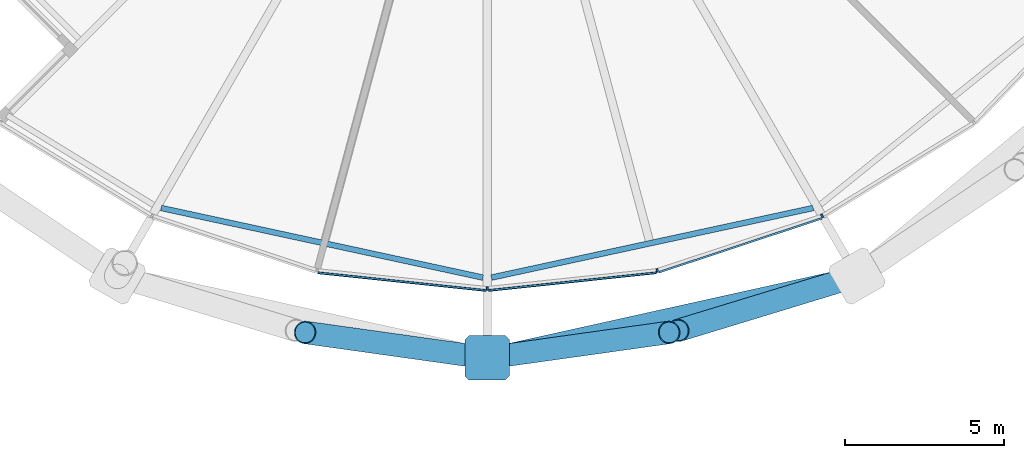
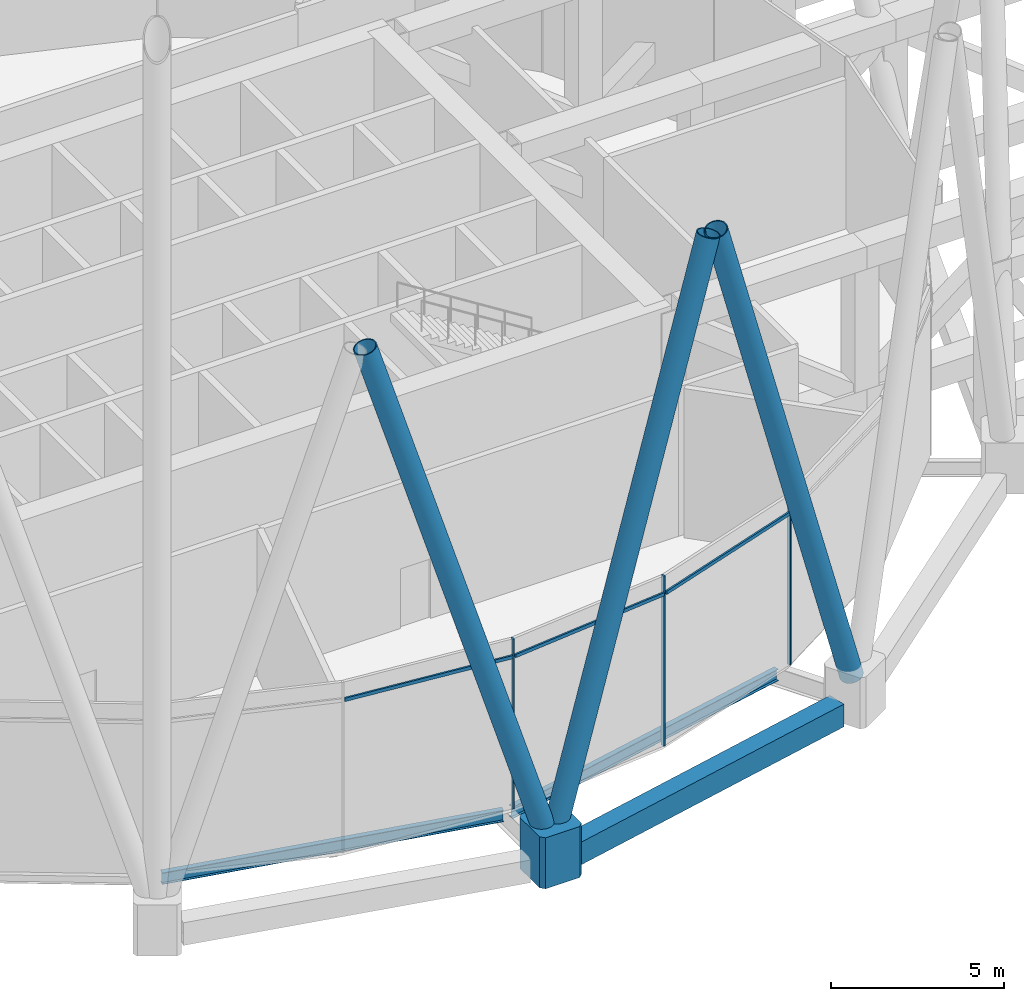
# One storey, part 5 of 39: 10 members, 3 beams, 1 element without a shape of its own.
"""IFC4 building model written with IfcOpenShell, lengths in metres."""

from ifc_helpers import new_model, si_unit, direction, frame, origin, origin_2d, place, context, subcontext, project, spatial, polyline, rectangle, hollow_rectangle, hollow_circle, i_section, outline, extrude, material, material_profile, profile_set, type_object, element, aggregate, save


model = new_model("IFC4")

# Units and contexts
model_context = context("Model", 3, precision=1e-05, world=origin(), true_north=direction((0.0, 1.0)))
body_context = subcontext(model_context, "Body", "Model", "MODEL_VIEW")
ifc_project = project(units=[si_unit("LENGTHUNIT", "METRE"), si_unit("AREAUNIT", "SQUARE_METRE"), si_unit("VOLUMEUNIT", "CUBIC_METRE"), si_unit("PLANEANGLEUNIT", "RADIAN"), si_unit("MASSUNIT", "GRAM", prefix="KILO")], contexts=[model_context])

# Site, building, storey
site_placement = place(None, origin())
site = spatial("IfcSite", under=ifc_project, at=site_placement, CompositionType="ELEMENT")
building_placement = place(site_placement, origin())
building = spatial("IfcBuilding", under=site, at=building_placement, Name="Rimbun Link Towers", CompositionType="ELEMENT")
storey_placement = place(building_placement, frame((0.0, 0.0, 127.199951171875)))
storey = spatial("IfcBuildingStorey", under=building, at=storey_placement, Name="L31", CompositionType="ELEMENT", Elevation=127.199951171875)

# Curtain wall, members
ifc_material_1 = material(Name="Aluminium 6063-T6 louvre wall", Category="aluminium")
curtain_wall_type = type_object("IfcCurtainWallType", Name="CW6 plant floor louvre wall", PredefinedType="NOTDEFINED", material=ifc_material_1)
curtain_wall_placement = place(storey_placement, origin())
curtain_wall = element("IfcCurtainWall", 1, at=curtain_wall_placement, inside=storey, type_object=curtain_wall_type, Name="CW6 L31 T1", PredefinedType="NOTDEFINED")
ifc_material_2 = material(Name="Aluminium 6063-T6", Category="aluminium")
ifc_material_profile_1 = material_profile(ifc_material_2, rectangle(XDim=0.1201171875, YDim=0.06005859375, at=origin_2d()), Name="MULLION 60X120")
ifc_profile_set_1 = profile_set([ifc_material_profile_1], Name="Aluminium 6063-T6")
member_type_1 = type_object("IfcMemberType", Name="CW6 mullion 60X120", PredefinedType="MULLION", material=ifc_profile_set_1)
member_1_placement = place(storey_placement, frame((-31.75, -20.564697265625, 0.0), z_axis=(0.0, 0.0, 1.0), x_axis=(0.0, -1.0, 0.0)))
member_1 = element("IfcMember", 2, at=member_1_placement, type_object=member_type_1, Name="CW6 mullion", PredefinedType="MULLION", context=body_context, shape_type="SweptSolid", body=[
    extrude(rectangle(XDim=0.1201171875, YDim=0.06005859375, at=origin_2d()), origin(), (0.0, 0.0, 1.0), 6.0),
])
member_2_placement = place(storey_placement, frame((-26.39404296875, -20.00048828125, 0.0), z_axis=(0.0, 0.0, 1.0), x_axis=(0.210874745282, -0.977513090348, 0.0)))
member_2 = element("IfcMember", 3, at=member_2_placement, type_object=member_type_1, Name="CW6 mullion", PredefinedType="MULLION", context=body_context, shape_type="SweptSolid", body=[
    extrude(rectangle(XDim=0.1201171875, YDim=0.06005859375, at=origin_2d()), origin(), (0.0, 0.0, 1.0), 6.0),
])
member_3_placement = place(storey_placement, frame((-21.2021484375, -18.27978515625, 0.0), z_axis=(0.0, 0.0, 1.0), x_axis=(0.421706860892, -0.906732222586, 0.0)))
member_3 = element("IfcMember", 4, at=member_3_placement, type_object=member_type_1, Name="CW6 mullion", PredefinedType="MULLION", context=body_context, shape_type="SweptSolid", body=[
    extrude(rectangle(XDim=0.1201171875, YDim=0.06005859375, at=origin_2d()), origin(), (0.0, 0.0, 1.0), 6.0),
])
ifc_material_3 = material(Name="Aluminium 6063-T6", Category="aluminium")
ifc_material_profile_2 = material_profile(ifc_material_3, rectangle(XDim=0.06005859375, YDim=0.1201171875, at=origin_2d()), Name="TRANSOM 60X120")
ifc_profile_set_2 = profile_set([ifc_material_profile_2], Name="Aluminium 6063-T6")
member_type_2 = type_object("IfcMemberType", Name="CW6 transom 60X120", PredefinedType="USERDEFINED", material=ifc_profile_set_2)
member_4_placement = place(storey_placement, frame((-31.79345703125, -20.630859375, 5.400146484375), z_axis=(-0.99449638466, 0.104770897192, 0.0), x_axis=(-0.104770897192, -0.99449638466, 0.0)))
member_4 = element("IfcMember", 5, at=member_4_placement, type_object=member_type_2, Name="CW6 transom", ObjectType="TRANSOM", PredefinedType="USERDEFINED", context=body_context, shape_type="SweptSolid", body=[
    extrude(rectangle(XDim=0.06005859375, YDim=0.1201171875, at=origin_2d()), origin(), (0.0, 0.0, 1.0), 5.31298828125),
])
member_5_placement = place(storey_placement, frame((-26.4228515625, -20.07421875, 5.400146484375), z_axis=(-0.99449638466, -0.104770897192, 0.0), x_axis=(0.104770897192, -0.99449638466, 0.0)))
member_5 = element("IfcMember", 6, at=member_5_placement, type_object=member_type_2, Name="CW6 transom", ObjectType="TRANSOM", PredefinedType="USERDEFINED", context=body_context, shape_type="SweptSolid", body=[
    extrude(rectangle(XDim=0.06005859375, YDim=0.1201171875, at=origin_2d()), origin(), (0.0, 0.0, 1.0), 5.31298828125),
])
member_6_placement = place(storey_placement, frame((-21.215087890625, -18.3583984375, 5.400146484375), z_axis=(-0.949242844608, -0.314544149462, 0.0), x_axis=(0.314544149462, -0.949242844608, 0.0)))
member_6 = element("IfcMember", 7, at=member_6_placement, type_object=member_type_2, Name="CW6 transom", ObjectType="TRANSOM", PredefinedType="USERDEFINED", context=body_context, shape_type="SweptSolid", body=[
    extrude(rectangle(XDim=0.06005859375, YDim=0.1201171875, at=origin_2d()), origin(), (0.0, 0.0, 1.0), 5.39599609375),
])
aggregate(curtain_wall, [member_1, member_2, member_3, member_4, member_5, member_6])

# Members
ifc_material_4 = material(Name="Steel S460NH", Category="steel")
ifc_material_profile_3 = material_profile(ifc_material_4, hollow_circle(Radius=0.355712890625, WallThickness=0.031982421875, at=origin_2d()), Name="Diagrid diagonal CHS 711x32")
ifc_profile_set_3 = profile_set([ifc_material_profile_3], Name="Steel S460NH")
member_type_3 = type_object("IfcMemberType", Name="Diagrid diagonal CHS 711x32", PredefinedType="BRACE", material=ifc_profile_set_3)
for number, where, z_axis, x_axis, name in (
    (8, (-31.8935546875, -22.734619140625, 0.478515625), (-0.28694762566, 0.040208263437, 0.957102061266), (-0.13876833171, -0.990324870997, 0.0), "Diagrid diagonal T1 L31-L35 18a"),
    (9, (-31.6064453125, -22.734619140625, 0.478515625), (0.28694762566, 0.040208263437, 0.957102061266), (-0.13876833171, 0.990324870997, 0.0), "Diagrid diagonal T1 L31-L35 18b"),
):
    element("IfcMember", number, at=place(storey_placement, frame(where, z_axis=z_axis, x_axis=x_axis)), inside=storey, type_object=member_type_3, Name=name, PredefinedType="BRACE", context=body_context, shape_type="SweptSolid", body=[
        extrude(hollow_circle(Radius=0.355712890625, WallThickness=0.031982421875, at=origin_2d()), origin(), (0.0, 0.0, 1.0), 19.478759765625),
    ])
member_7_placement = place(storey_placement, frame((-20.2431640625, -20.216796875, 0.47802734375), z_axis=(-0.281420804771, -0.085705313131, 0.955749407503), x_axis=(0.291334285464, -0.95662131176, 0.0)))
element("IfcMember", 10, at=member_7_placement, inside=storey, type_object=member_type_3, Name="Diagrid diagonal T1 L31-L35 20a", PredefinedType="BRACE", context=body_context, shape_type="SweptSolid", body=[
    extrude(hollow_circle(Radius=0.355712890625, WallThickness=0.031982421875, at=origin_2d()), origin(), (0.0, 0.0, 1.0), 19.50732421875),
])
ifc_material_5 = material(Name="Cast steel G20Mn5+QT, Rp0.2 300 MPa", Category="steel")
ifc_material_profile_4 = material_profile(ifc_material_5, outline(polyline([(0.699951171875, -0.570068359375), (0.699951171875, 0.570068359375), (0.570068359375, 0.699951171875), (-0.570068359375, 0.699951171875), (-0.699951171875, 0.570068359375), (-0.699951171875, -0.570068359375), (-0.570068359375, -0.699951171875), (0.570068359375, -0.699951171875), (0.699951171875, -0.570068359375)])), Name="NODE 1400x1400")
ifc_profile_set_4 = profile_set([ifc_material_profile_4], Name="Cast steel G20Mn5+QT, Rp0.2 300 MPa")
member_type_4 = type_object("IfcMemberType", Name="Diagrid node cast 1400", PredefinedType="USERDEFINED", material=ifc_profile_set_4)
member_8_placement = place(storey_placement, frame((-31.75, -22.754638671875, -0.89990234375), z_axis=(0.0, 0.0, 1.0), x_axis=(0.0, -1.0, 0.0)))
element("IfcMember", 11, at=member_8_placement, inside=storey, type_object=member_type_4, Name="Diagrid node L31 18", ObjectType="Diagrid node", PredefinedType="USERDEFINED", context=body_context, shape_type="SweptSolid", body=[
    extrude(outline(polyline([(0.699951171875, -0.570068359375), (0.699951171875, 0.570068359375), (0.570068359375, 0.699951171875), (-0.570068359375, 0.699951171875), (-0.699951171875, 0.570068359375), (-0.699951171875, -0.570068359375), (-0.570068359375, -0.699951171875), (0.570068359375, -0.699951171875), (0.699951171875, -0.570068359375)])), origin(), (0.0, 0.0, 1.0), 1.800048828125),
])

# Beams
ifc_material_6 = material(Name="Steel S355J2", Category="steel")
ifc_material_profile_5 = material_profile(ifc_material_6, hollow_rectangle(XDim=0.60009765625, YDim=0.800048828125, WallThickness=0.0400390625, at=origin_2d()), Name="Exoskeleton ring girder BOX 600x800x40")
ifc_profile_set_5 = profile_set([ifc_material_profile_5], Name="Steel S355J2")
beam_type_1 = type_object("IfcBeamType", Name="Exoskeleton ring girder BOX 600x800x40", PredefinedType="BEAM", material=ifc_profile_set_5)
beam_placement = place(storey_placement, frame((-31.066650390625, -22.603271484375, -0.56005859375), z_axis=(0.97632325002, 0.216316692536, 0.0), x_axis=(-0.216316692536, 0.97632325002, 0.0)))
element("IfcBeam", 12, at=beam_placement, inside=storey, type_object=beam_type_1, Name="Exoskeleton ring girder L31 07", PredefinedType="BEAM", context=body_context, shape_type="SweptSolid", body=[
    extrude(hollow_rectangle(XDim=0.60009765625, YDim=0.800048828125, WallThickness=0.0400390625, at=origin_2d()), origin(), (0.0, 0.0, 1.0), 10.530029296875),
])
ifc_material_7 = material(Name="Steel S355J2", Category="steel")
ifc_material_profile_6 = material_profile(ifc_material_7, i_section(OverallWidth=0.177978515625, OverallDepth=0.406494140625, WebThickness=0.0078125, FlangeThickness=0.0126953125, at=origin_2d()), Name="UB 406x178x60")
ifc_profile_set_6 = profile_set([ifc_material_profile_6], Name="Steel S355J2")
beam_type_2 = type_object("IfcBeamType", Name="UB 406x178x60", PredefinedType="BEAM", material=ifc_profile_set_6)
for number, where, z_axis, x_axis, name in (
    (13, (-42.013671875, -18.03271484375, -0.383056640625), (0.97738890802, -0.211449574316, 0.0), (0.211449574316, 0.97738890802, 0.0), "Edge beam T1 L31 16-18"),
    (14, (-31.61572265625, -20.22412109375, -0.383056640625), (0.97738890802, 0.211449574316, 0.0), (-0.211449574316, 0.97738890802, 0.0), "Edge beam T1 L31 18-20"),
):
    element("IfcBeam", number, at=place(storey_placement, frame(where, z_axis=z_axis, x_axis=x_axis)), inside=storey, type_object=beam_type_2, Name=name, PredefinedType="BEAM", context=body_context, shape_type="SweptSolid", body=[
        extrude(i_section(OverallWidth=0.177978515625, OverallDepth=0.406494140625, WebThickness=0.0078125, FlangeThickness=0.0126953125, at=origin_2d()), origin(), (0.0, 0.0, 1.0), 10.36376953125),
    ])

save(model, "model.ifc")
